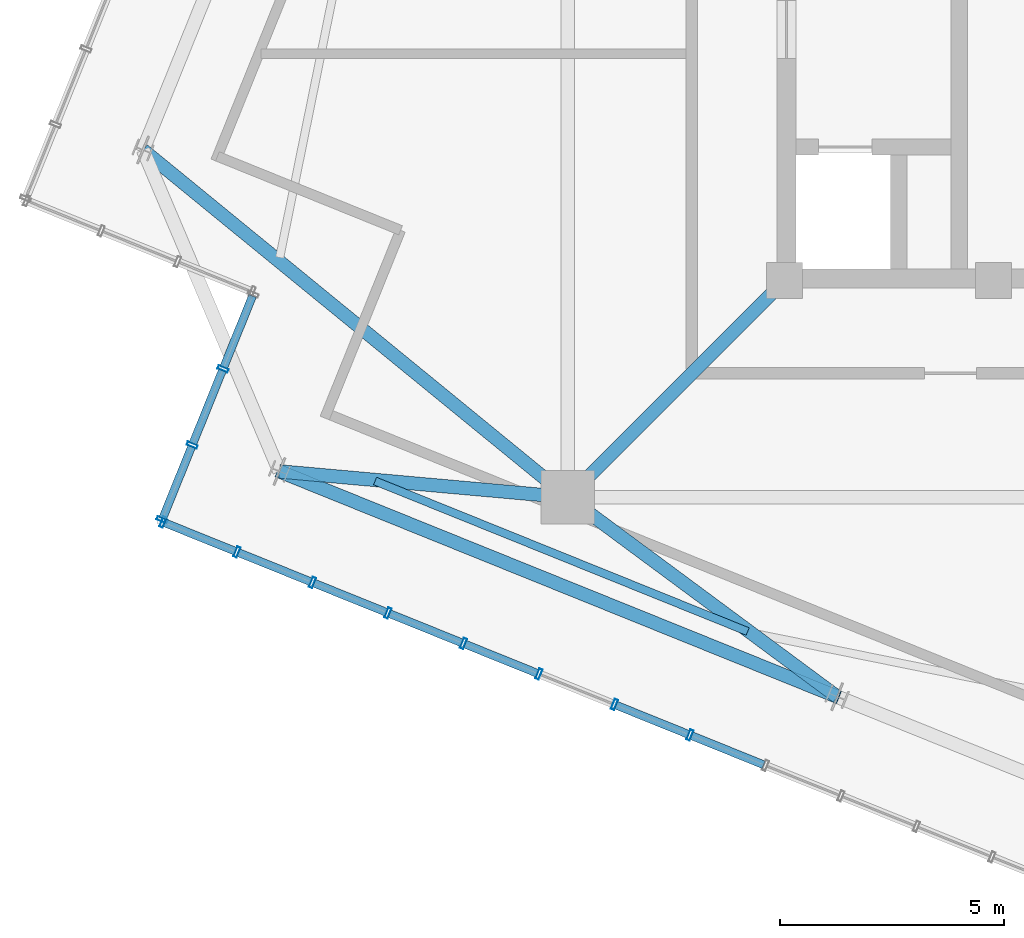
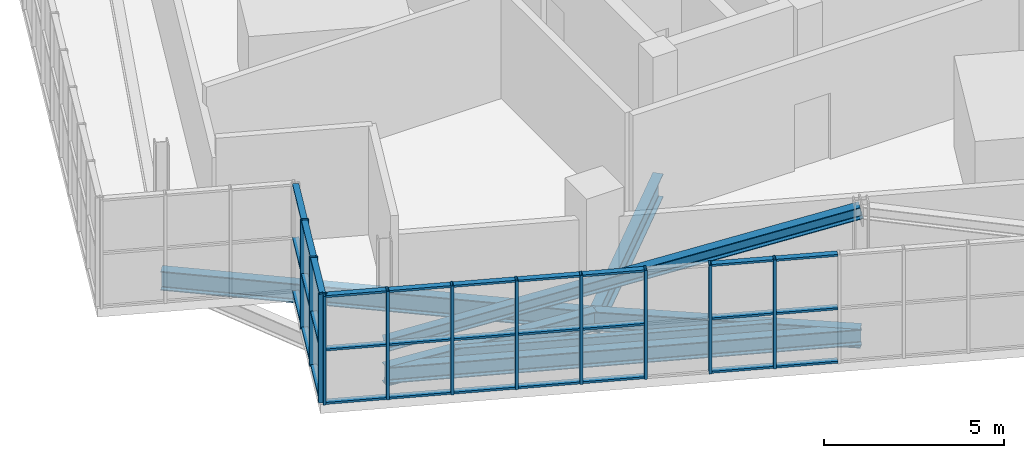
# One storey, part 3 of 26: 42 members, 6 beams, 2 elements without a shape of their own.
"""IFC4 building model written with IfcOpenShell, lengths in metres."""

import ifcopenshell
import ifcopenshell.guid

model = None  # the IFC model being written
_history = None  # IfcOwnerHistory: only IFC2X3 demands one
_inside = {}  # id of a spatial element -> (the spatial element, [elements in it])
_under = {}  # id of a project, library or spatial element -> (it, [spatial elements below it])
_declared = {}  # id of a project -> (the project, [libraries it declares])
_typed = {}  # id of a type object -> (the type object, [elements of that type])
_made_of = {}  # id of a material, layer set ... -> (it, [elements and type objects made of it])


def new_model(schema):
    """Start an empty IFC model of exactly this schema.

    Asked for "IFC4X3", IfcOpenShell would pick the latest addendum, in which some entities
    have other attributes; the version numbers below select the first issue.
    IFC2X3 requires an IfcOwnerHistory on every rooted entity: one is made here for all.
    """
    global model, _history
    if schema == "IFC4X3":
        model = ifcopenshell.file(schema_version=(4, 3, 0, 0))
    else:
        model = ifcopenshell.file(schema=schema)
    _inside.clear()
    _under.clear()
    _declared.clear()
    _typed.clear()
    _made_of.clear()
    _history = None
    if model.schema == "IFC2X3":
        org = make("IfcOrganization", Name="unknown")
        user = make(
            "IfcPersonAndOrganization",
            ThePerson=make("IfcPerson", FamilyName="unknown"),
            TheOrganization=org,
        )
        app = make(
            "IfcApplication",
            ApplicationDeveloper=org,
            Version="unknown",
            ApplicationFullName="unknown",
            ApplicationIdentifier="unknown",
        )
        _history = make(
            "IfcOwnerHistory",
            OwningUser=user,
            OwningApplication=app,
            ChangeAction="ADDED",
            CreationDate=0,
        )
    return model


def make(cls, **values):
    """One entity of the class cls with the attributes given. An attribute that is None is left unset."""
    return model.create_entity(
        cls, **{name: value for name, value in values.items() if value is not None}
    )


def rooted(cls, **values):
    """An entity with a GlobalId (a new one), such as an element, a storey or a relation."""
    return make(cls, GlobalId=ifcopenshell.guid.new(), OwnerHistory=_history, **values)


def si_unit(unit_type, name, prefix=None):
    """IfcSIUnit, for example si_unit("LENGTHUNIT", "METRE", prefix="MILLI")."""
    return make("IfcSIUnit", UnitType=unit_type, Prefix=prefix, Name=name)


def assignment(units):
    """IfcUnitAssignment: the units of a project."""
    return None if units is None else make("IfcUnitAssignment", Units=units)


def point(xyz):
    """IfcCartesianPoint."""
    return None if xyz is None else make("IfcCartesianPoint", Coordinates=xyz)


def direction(xyz):
    """IfcDirection."""
    return None if xyz is None else make("IfcDirection", DirectionRatios=xyz)


def frame(location, z_axis=None, x_axis=None):
    """IfcAxis2Placement3D, a coordinate frame: its origin and axes. An axis left out is left unset."""
    return make(
        "IfcAxis2Placement3D",
        Location=point(location),
        Axis=direction(z_axis),
        RefDirection=direction(x_axis),
    )


def frame_2d(location, x_axis=None):
    """IfcAxis2Placement2D, a coordinate frame in the plane: its origin and x axis."""
    return make(
        "IfcAxis2Placement2D", Location=point(location), RefDirection=direction(x_axis)
    )


def origin():
    """The frame at (0, 0, 0) with its axes left unset."""
    return frame((0.0, 0.0, 0.0))


def origin_2d():
    """The frame at (0, 0) in the plane with its x axis left unset."""
    return frame_2d((0.0, 0.0))


def place(relative_to, where):
    """IfcLocalPlacement: puts the frame where relative to a parent placement (None: the world)."""
    return make(
        "IfcLocalPlacement", PlacementRelTo=relative_to, RelativePlacement=where
    )


def context(
    kind, dimensions, precision=None, world=None, true_north=None, identifier=None
):
    """IfcGeometricRepresentationContext, for example the 3D "Model" context."""
    return make(
        "IfcGeometricRepresentationContext",
        ContextIdentifier=identifier,
        ContextType=kind,
        CoordinateSpaceDimension=dimensions,
        Precision=precision,
        WorldCoordinateSystem=world,
        TrueNorth=true_north,
    )


def subcontext(parent, identifier, kind, view, scale=None):
    """IfcGeometricRepresentationSubContext, for example "Body" below "Model"."""
    return make(
        "IfcGeometricRepresentationSubContext",
        ContextIdentifier=identifier,
        ContextType=kind,
        ParentContext=parent,
        TargetScale=scale,
        TargetView=view,
    )


def project(units=None, contexts=None):
    """IfcProject with its units and contexts."""
    return rooted(
        "IfcProject",
        Name="project",
        RepresentationContexts=contexts,
        UnitsInContext=assignment(units),
    )


def spatial(cls, under=None, at=None, **own):
    """A site, building, storey or space (cls), placed at a placement, below another one or the project."""
    s = rooted(cls, ObjectPlacement=at, **own)
    if under is not None:
        _under.setdefault(under.id(), (under, []))[1].append(s)
    return s


def profile(cls, at=None, kind="AREA", **sizes):
    """A parametric profile (cls). Its sizes go by their IFC names, for example OverallWidth=200.0."""
    return make(cls, ProfileType=kind, Position=at, **sizes)


def hollow_rectangle(**sizes):
    """IfcRectangleHollowProfileDef."""
    return profile("IfcRectangleHollowProfileDef", **sizes)


def i_section(**sizes):
    """IfcIShapeProfileDef."""
    return profile("IfcIShapeProfileDef", **sizes)


def extrude(swept, where, along, depth):
    """IfcExtrudedAreaSolid: the profile swept, set in the frame where, extruded along a direction by depth."""
    return make(
        "IfcExtrudedAreaSolid",
        SweptArea=swept,
        Position=where,
        ExtrudedDirection=direction(along),
        Depth=depth,
    )


def shape(context_of_items, identifier, shape_type, items):
    """IfcShapeRepresentation: the items that make up one representation, for example the "Body"."""
    return make(
        "IfcShapeRepresentation",
        ContextOfItems=context_of_items,
        RepresentationIdentifier=identifier,
        RepresentationType=shape_type,
        Items=items,
    )


def source(mapping_origin, context_of_items, identifier, shape_type, items):
    """IfcRepresentationMap: a shape defined once, which mapped items show again and again."""
    return make(
        "IfcRepresentationMap",
        MappingOrigin=mapping_origin,
        MappedRepresentation=shape(context_of_items, identifier, shape_type, items),
    )


def transform(
    local_origin,
    x_axis=None,
    y_axis=None,
    z_axis=None,
    scale=None,
    scale2=None,
    scale3=None,
    uniform=True,
):
    """IfcCartesianTransformationOperator3D, or its non-uniform kind. x_axis, y_axis, z_axis: its Axis1, 2, 3."""
    if uniform:
        return make(
            "IfcCartesianTransformationOperator3D",
            Axis1=direction(x_axis),
            Axis2=direction(y_axis),
            LocalOrigin=point(local_origin),
            Scale=scale,
            Axis3=direction(z_axis),
        )
    return make(
        "IfcCartesianTransformationOperator3DnonUniform",
        Axis1=direction(x_axis),
        Axis2=direction(y_axis),
        LocalOrigin=point(local_origin),
        Scale=scale,
        Axis3=direction(z_axis),
        Scale2=scale2,
        Scale3=scale3,
    )


def mapped(mapping_source, mapping_target):
    """IfcMappedItem: shows the shape of a source again, moved by a transform."""
    return make(
        "IfcMappedItem", MappingSource=mapping_source, MappingTarget=mapping_target
    )


def material(Name=None, Category=None):
    """IfcMaterial."""
    return make("IfcMaterial", Name=Name, Category=Category)


def layer(
    of_material, thickness, ventilated=None, Name=None, Category=None, Priority=None
):
    """IfcMaterialLayer: one layer of a wall or slab, of a material (None: an air gap)."""
    return make(
        "IfcMaterialLayer",
        Material=of_material,
        LayerThickness=thickness,
        IsVentilated=ventilated,
        Name=Name,
        Category=Category,
        Priority=Priority,
    )


def layer_set(layers, Name=None):
    """IfcMaterialLayerSet."""
    return make("IfcMaterialLayerSet", MaterialLayers=layers, LayerSetName=Name)


def material_profile(
    of_material, cross_section, Name=None, Category=None, Priority=None
):
    """IfcMaterialProfile: a cross section and its material."""
    return make(
        "IfcMaterialProfile",
        Name=Name,
        Material=of_material,
        Profile=cross_section,
        Priority=Priority,
        Category=Category,
    )


def profile_set(profiles, Name=None, composite=None):
    """IfcMaterialProfileSet."""
    return make(
        "IfcMaterialProfileSet",
        Name=Name,
        MaterialProfiles=profiles,
        CompositeProfile=composite,
    )


def made_of(thing, what):
    """Note that an element or type object is made of a material, layer set ...; save() writes the relation."""
    if what is not None:
        _made_of.setdefault(what.id(), (what, []))[1].append(thing)
    return thing


def type_object(cls, material=None, **own):
    """A type object (cls), such as IfcWallType, which elements share."""
    return made_of(rooted(cls, **own), material)


def element(
    cls,
    number,
    at=None,
    inside=None,
    cuts=None,
    type_object=None,
    material=None,
    context=None,
    identifier="Body",
    shape_type=None,
    held_by="IfcProductDefinitionShape",
    body=None,
    shapes=None,
    **own,
):
    """One element of the class cls, such as IfcWall. Its Tag is "e" and its number.

    at: its placement. inside: the storey or other place that contains it. cuts: it is an
    opening in that element (IfcRelVoidsElement). A single representation is given by context,
    identifier, shape_type and body (its items); several are given by shapes. held_by: the class
    of the entity that holds the representations. save() writes the other relations.
    """
    e = rooted(cls, Tag="e%d" % number, ObjectPlacement=at, **own)
    if body is not None:
        shapes = [shape(context, identifier, shape_type, body)]
    if shapes is not None:
        e.Representation = make(held_by, Representations=shapes)
    if inside is not None:
        _inside.setdefault(inside.id(), (inside, []))[1].append(e)
    if cuts is not None:
        rooted(
            "IfcRelVoidsElement", RelatingBuildingElement=cuts, RelatedOpeningElement=e
        )
    if type_object is not None:
        _typed.setdefault(type_object.id(), (type_object, []))[1].append(e)
    return made_of(e, material)


def aggregate(whole, parts):
    """IfcRelAggregates: a whole, such as a stair, and the parts it consists of."""
    return rooted("IfcRelAggregates", RelatingObject=whole, RelatedObjects=parts)


def save(model, path):
    """Write the relations noted so far, then the file.

    IfcRelAggregates (storeys below a building ...), IfcRelContainedInSpatialStructure (elements
    in a storey), IfcRelDefinesByType, IfcRelAssociatesMaterial and IfcRelDeclares: one each for
    every whole, place, type object, material and project.
    """
    for whole, parts in _under.values():
        aggregate(whole, parts)
    for where, things in _inside.values():
        rooted(
            "IfcRelContainedInSpatialStructure",
            RelatedElements=things,
            RelatingStructure=where,
        )
    for kind, things in _typed.values():
        rooted("IfcRelDefinesByType", RelatedObjects=things, RelatingType=kind)
    for what, things in _made_of.values():
        rooted("IfcRelAssociatesMaterial", RelatedObjects=things, RelatingMaterial=what)
    for by, libraries in _declared.values():
        rooted("IfcRelDeclares", RelatingContext=by, RelatedDefinitions=libraries)
    model.write(path)


model = new_model("IFC4")

# Units and contexts
model_context = context("Model", 3, precision=1e-05, world=origin(), true_north=direction((0.0, 1.0)))
body_context = subcontext(model_context, "Body", "Model", "MODEL_VIEW")
ifc_project = project(units=[si_unit("LENGTHUNIT", "METRE"), si_unit("AREAUNIT", "SQUARE_METRE"), si_unit("VOLUMEUNIT", "CUBIC_METRE"), si_unit("PLANEANGLEUNIT", "RADIAN"), si_unit("MASSUNIT", "GRAM", prefix="KILO"), si_unit("THERMODYNAMICTEMPERATUREUNIT", "KELVIN")], contexts=[model_context])

# Site, building, storey
site_placement = place(None, origin())
site = spatial("IfcSite", under=ifc_project, at=site_placement, CompositionType="ELEMENT")
building_placement = place(site_placement, origin())
building = spatial("IfcBuilding", under=site, at=building_placement, Name="Kosmvard Interchange Tower", CompositionType="ELEMENT")
storey_placement = place(building_placement, frame((0.0, 0.0, 329.60009765625)))
storey = spatial("IfcBuildingStorey", under=building, at=storey_placement, Name="L81", CompositionType="ELEMENT", Elevation=329.60009765625)

# Beam
ifc_material_1 = material(Name="Steel S355", Category="steel")
ifc_material_profile_1 = material_profile(ifc_material_1, i_section(OverallWidth=0.300048828125, OverallDepth=0.800048828125, WebThickness=0.017578125, FlangeThickness=0.032958984375, FilletRadius=0.027099609375, at=origin_2d()), Name="HEB 800")
ifc_profile_set_1 = profile_set([ifc_material_profile_1], Name="Steel S355")
beam_type_1 = type_object("IfcBeamType", Name="Primary Mega-Frame Girder HEB 800 S355", PredefinedType="BEAM", material=ifc_profile_set_1)
shared_shape_1 = source(origin(), body_context, "Body", "SweptSolid", [
    extrude(i_section(OverallWidth=0.300048828125, OverallDepth=0.800048828125, WebThickness=0.017578125, FlangeThickness=0.032958984375, FilletRadius=0.027099609375, at=origin_2d()), origin(), (0.0, 0.0, 1.0), 6.83203125),
])
beam_1_placement = place(storey_placement, frame((-8.25, -8.25, -0.7001953125), z_axis=(-0.707106781187, -0.707106781187, 0.0), x_axis=(0.707106781187, -0.707106781187, 0.0)))
element("IfcBeam", 1, at=beam_1_placement, inside=storey, type_object=beam_type_1, Name="L81 Radial Mega-Frame Girder 1", PredefinedType="BEAM", context=body_context, shape_type="MappedRepresentation", body=[
    mapped(shared_shape_1, transform((0.0, 0.0, 0.0), scale=1.0)),
])

# Member
ifc_material_profile_2 = material_profile(ifc_material_1, i_section(OverallWidth=0.300048828125, OverallDepth=0.39990234375, WebThickness=0.013427734375, FlangeThickness=0.02392578125, FilletRadius=0.027099609375, at=origin_2d()), Name="HEB 400")
ifc_profile_set_2 = profile_set([ifc_material_profile_2], Name="Steel S355")
member_type_1 = type_object("IfcMemberType", Name="Lantern Crown Diagrid Brace HEB 400 S355", PredefinedType="BRACE", material=ifc_profile_set_2)
shared_shape_2 = source(origin(), body_context, "Body", "SweptSolid", [
    extrude(i_section(OverallWidth=0.300048828125, OverallDepth=0.39990234375, WebThickness=0.013427734375, FlangeThickness=0.02392578125, FilletRadius=0.027099609375, at=origin_2d()), origin(), (0.0, 0.0, 1.0), 13.78369140625),
])
member_1_placement = place(storey_placement, frame((-19.50439453125, -12.504150390625, 0.419921875), z_axis=(0.901373372792, -0.364162635972, 0.234332279859), x_axis=(0.374592580972, 0.927189515839, 0.0)))
element("IfcMember", 2, at=member_1_placement, inside=storey, type_object=member_type_1, Name="L81 Crown Lantern Diagrid Brace W1", PredefinedType="BRACE", context=body_context, shape_type="MappedRepresentation", body=[
    mapped(shared_shape_2, transform((0.0, 0.0, 0.0), scale=1.0)),
])

# Beams
ifc_material_profile_3 = material_profile(ifc_material_1, i_section(OverallWidth=0.300048828125, OverallDepth=0.550048828125, WebThickness=0.014892578125, FlangeThickness=0.029052734375, FilletRadius=0.027099609375, at=origin_2d()), Name="HEB 550")
ifc_profile_set_3 = profile_set([ifc_material_profile_3], Name="Steel S355")
beam_type_2 = type_object("IfcBeamType", Name="Crown Ring Cap Girder HEB 550 S355", PredefinedType="BEAM", material=ifc_profile_set_3)
shared_shape_3 = source(origin(), body_context, "Body", "SweptSolid", [
    extrude(i_section(OverallWidth=0.300048828125, OverallDepth=0.550048828125, WebThickness=0.014892578125, FlangeThickness=0.029052734375, FilletRadius=0.027099609375, at=origin_2d()), origin(), (0.0, 0.0, 1.0), 13.39990234375),
])
beam_2_placement = place(storey_placement, frame((-19.50439453125, -12.504150390625, -0.5751953125), z_axis=(0.927189515839, -0.374592580972, 0.0), x_axis=(0.374592580972, 0.927189515839, 0.0)))
element("IfcBeam", 3, at=beam_2_placement, inside=storey, type_object=beam_type_2, Name="BM-L81-PR10", PredefinedType="BEAM", context=body_context, shape_type="MappedRepresentation", body=[
    mapped(shared_shape_3, transform((0.0, 0.0, 0.0), scale=1.0)),
])
ifc_material_profile_4 = material_profile(ifc_material_1, i_section(OverallWidth=0.300048828125, OverallDepth=0.64990234375, WebThickness=0.01611328125, FlangeThickness=0.031005859375, FilletRadius=0.027099609375, at=origin_2d()), Name="HEB 650")
ifc_profile_set_4 = profile_set([ifc_material_profile_4], Name="Steel S355")
beam_type_3 = type_object("IfcBeamType", Name="Primary Floor Girder HEB 650 S355", PredefinedType="BEAM", material=ifc_profile_set_4)
shared_shape_4 = source(origin(), body_context, "Body", "SweptSolid", [
    extrude(i_section(OverallWidth=0.300048828125, OverallDepth=0.64990234375, WebThickness=0.01611328125, FlangeThickness=0.031005859375, FilletRadius=0.027099609375, at=origin_2d()), origin(), (0.0, 0.0, 1.0), 6.44921875),
])
beam_3_placement = place(storey_placement, frame((-13.0810546875, -13.0810546875, -0.625), z_axis=(-0.995990982197, 0.089453694068, 0.0), x_axis=(-0.089453694068, -0.995990982197, 0.0)))
element("IfcBeam", 4, at=beam_3_placement, inside=storey, type_object=beam_type_3, Name="BM-L81-RD10", PredefinedType="BEAM", context=body_context, shape_type="MappedRepresentation", body=[
    mapped(shared_shape_4, transform((0.0, 0.0, 0.0), scale=1.0)),
])
shared_shape_5 = source(origin(), body_context, "Body", "SweptSolid", [
    extrude(i_section(OverallWidth=0.300048828125, OverallDepth=0.64990234375, WebThickness=0.01611328125, FlangeThickness=0.031005859375, FilletRadius=0.027099609375, at=origin_2d()), origin(), (0.0, 0.0, 1.0), 7.466552734375),
])
beam_4_placement = place(storey_placement, frame((-13.0810546875, -13.0810546875, -0.625), z_axis=(0.803719929879, -0.595007793491, 0.0), x_axis=(0.595007793491, 0.803719929879, 0.0)))
element("IfcBeam", 5, at=beam_4_placement, inside=storey, type_object=beam_type_3, Name="BM-L81-RD11", PredefinedType="BEAM", context=body_context, shape_type="MappedRepresentation", body=[
    mapped(shared_shape_5, transform((0.0, 0.0, 0.0), scale=1.0)),
])
shared_shape_6 = source(origin(), body_context, "Body", "SweptSolid", [
    extrude(i_section(OverallWidth=0.300048828125, OverallDepth=0.64990234375, WebThickness=0.01611328125, FlangeThickness=0.031005859375, FilletRadius=0.027099609375, at=origin_2d()), origin(), (0.0, 0.0, 1.0), 12.22265625),
])
beam_5_placement = place(storey_placement, frame((-13.0810546875, -13.0810546875, -0.625), z_axis=(-0.774163725034, 0.632985408079, 0.0), x_axis=(-0.632985408079, -0.774163725034, 0.0)))
element("IfcBeam", 6, at=beam_5_placement, inside=storey, type_object=beam_type_3, Name="BM-L81-RD09", PredefinedType="BEAM", context=body_context, shape_type="MappedRepresentation", body=[
    mapped(shared_shape_6, transform((0.0, 0.0, 0.0), scale=1.0)),
])
ifc_material_profile_5 = material_profile(ifc_material_1, i_section(OverallWidth=0.179931640625, OverallDepth=0.39990234375, WebThickness=0.008544921875, FlangeThickness=0.013427734375, FilletRadius=0.02099609375, at=origin_2d()), Name="IPE 400")
ifc_profile_set_5 = profile_set([ifc_material_profile_5], Name="Steel S355")
beam_type_4 = type_object("IfcBeamType", Name="Upper-Zone Floor Joist IPE 400 S355", PredefinedType="JOIST", material=ifc_profile_set_5)
shared_shape_7 = source(origin(), body_context, "Body", "SweptSolid", [
    extrude(i_section(OverallWidth=0.179931640625, OverallDepth=0.39990234375, WebThickness=0.008544921875, FlangeThickness=0.013427734375, FilletRadius=0.02099609375, at=origin_2d()), origin(), (0.0, 0.0, 1.0), 8.9521484375),
])
beam_6_placement = place(storey_placement, frame((-17.374755859375, -12.71875, -0.5), z_axis=(0.927194118723, -0.374581187736, 0.0), x_axis=(0.374581187736, 0.927194118723, 0.0)))
element("IfcBeam", 7, at=beam_6_placement, inside=storey, type_object=beam_type_4, Name="BM-L81-FJ07", PredefinedType="JOIST", context=body_context, shape_type="MappedRepresentation", body=[
    mapped(shared_shape_7, transform((0.0, 0.0, 0.0), scale=1.0)),
])

# Curtain wall, members
ifc_material_2 = material(Name="Architectural anodised aluminium", Category="aluminium")
ifc_layer = layer(ifc_material_2, 0.25, Name="Architectural anodised aluminium")
ifc_layer_set = layer_set([ifc_layer], Name="Architectural anodised aluminium")
curtain_wall_type = type_object("IfcCurtainWallType", Name="CW-6 Illuminated Crown Lantern Curtain Wall", PredefinedType="NOTDEFINED", material=ifc_layer_set)
curtain_wall_1_placement = place(storey_placement, origin())
curtain_wall_1 = element("IfcCurtainWall", 8, at=curtain_wall_1_placement, inside=storey, type_object=curtain_wall_type, Name="L81 Crown Lantern Glazing Face 09", PredefinedType="NOTDEFINED")
ifc_material_profile_6 = material_profile(ifc_material_2, hollow_rectangle(XDim=0.239990234375, YDim=0.080078125, WallThickness=0.006103515625, at=origin_2d()), Name="CWM 240x80x6")
ifc_profile_set_6 = profile_set([ifc_material_profile_6], Name="Architectural anodised aluminium")
member_type_2 = type_object("IfcMemberType", Name="Lantern & Observation CW Mullion 240x80 Aluminium", PredefinedType="MULLION", material=ifc_profile_set_6)
shared_shape_8 = source(origin(), body_context, "Body", "SweptSolid", [
    extrude(hollow_rectangle(XDim=0.239990234375, YDim=0.080078125, WallThickness=0.006103515625, at=origin_2d()), origin(), (0.0, 0.0, 1.0), 3.699951171875),
])
member_2_placement = place(storey_placement, frame((-20.760498046875, -10.220458984375, 0.0), z_axis=(0.0, 0.0, 1.0), x_axis=(0.927183891631, -0.374606501678, 0.0)))
member_2 = element("IfcMember", 9, at=member_2_placement, type_object=member_type_2, Name="CW-6 mullion 2", PredefinedType="MULLION", context=body_context, shape_type="MappedRepresentation", body=[
    mapped(shared_shape_8, transform((0.0, 0.0, 0.0), scale=1.0)),
])
member_3_placement = place(storey_placement, frame((-21.447265625, -11.92041015625, 0.0), z_axis=(0.0, 0.0, 1.0), x_axis=(0.927183891631, -0.374606501678, 0.0)))
member_3 = element("IfcMember", 10, at=member_3_placement, type_object=member_type_2, Name="CW-6 mullion 3", PredefinedType="MULLION", context=body_context, shape_type="MappedRepresentation", body=[
    mapped(shared_shape_8, transform((0.0, 0.0, 0.0), scale=1.0)),
])
member_4_placement = place(storey_placement, frame((-22.118896484375, -13.583251953125, 0.0), z_axis=(0.0, 0.0, 1.0), x_axis=(0.927183891631, -0.374606501678, 0.0)))
member_4 = element("IfcMember", 11, at=member_4_placement, type_object=member_type_2, Name="CW-6 mullion 4", PredefinedType="MULLION", context=body_context, shape_type="MappedRepresentation", body=[
    mapped(shared_shape_8, transform((0.0, 0.0, 0.0), scale=1.0)),
])

curtain_wall_2_placement = place(storey_placement, origin())
curtain_wall_2 = element("IfcCurtainWall", 12, at=curtain_wall_2_placement, inside=storey, type_object=curtain_wall_type, Name="L81 Crown Lantern Glazing Face 10", PredefinedType="NOTDEFINED")
member_5_placement = place(storey_placement, frame((-22.096923828125, -13.63525390625, 0.0), z_axis=(0.0, 0.0, 1.0), x_axis=(0.374606584758, 0.927183858065, 0.0)))
member_5 = element("IfcMember", 13, at=member_5_placement, type_object=member_type_2, Name="CW-6 mullion 1", PredefinedType="MULLION", context=body_context, shape_type="MappedRepresentation", body=[
    mapped(shared_shape_8, transform((0.0, 0.0, 0.0), scale=1.0)),
])
member_6_placement = place(storey_placement, frame((-20.451904296875, -14.2998046875, 0.0), z_axis=(0.0, 0.0, 1.0), x_axis=(0.374606584758, 0.927183858065, 0.0)))
member_6 = element("IfcMember", 14, at=member_6_placement, type_object=member_type_2, Name="CW-6 mullion 2", PredefinedType="MULLION", context=body_context, shape_type="MappedRepresentation", body=[
    mapped(shared_shape_8, transform((0.0, 0.0, 0.0), scale=1.0)),
])
member_7_placement = place(storey_placement, frame((-18.77001953125, -14.9794921875, 0.0), z_axis=(0.0, 0.0, 1.0), x_axis=(0.374606584758, 0.927183858065, 0.0)))
member_7 = element("IfcMember", 15, at=member_7_placement, type_object=member_type_2, Name="CW-6 mullion 3", PredefinedType="MULLION", context=body_context, shape_type="MappedRepresentation", body=[
    mapped(shared_shape_8, transform((0.0, 0.0, 0.0), scale=1.0)),
])
member_8_placement = place(storey_placement, frame((-17.087890625, -15.658935546875, 0.0), z_axis=(0.0, 0.0, 1.0), x_axis=(0.374606584758, 0.927183858065, 0.0)))
member_8 = element("IfcMember", 16, at=member_8_placement, type_object=member_type_2, Name="CW-6 mullion 4", PredefinedType="MULLION", context=body_context, shape_type="MappedRepresentation", body=[
    mapped(shared_shape_8, transform((0.0, 0.0, 0.0), scale=1.0)),
])
member_9_placement = place(storey_placement, frame((-15.40576171875, -16.338623046875, 0.0), z_axis=(0.0, 0.0, 1.0), x_axis=(0.374606584758, 0.927183858065, 0.0)))
member_9 = element("IfcMember", 17, at=member_9_placement, type_object=member_type_2, Name="CW-6 mullion 5", PredefinedType="MULLION", context=body_context, shape_type="MappedRepresentation", body=[
    mapped(shared_shape_8, transform((0.0, 0.0, 0.0), scale=1.0)),
])
member_10_placement = place(storey_placement, frame((-13.723876953125, -17.01806640625, 0.0), z_axis=(0.0, 0.0, 1.0), x_axis=(0.374606584758, 0.927183858065, 0.0)))
member_10 = element("IfcMember", 18, at=member_10_placement, type_object=member_type_2, Name="CW-6 mullion 6", PredefinedType="MULLION", context=body_context, shape_type="MappedRepresentation", body=[
    mapped(shared_shape_8, transform((0.0, 0.0, 0.0), scale=1.0)),
])
member_11_placement = place(storey_placement, frame((-12.041748046875, -17.69775390625, 0.0), z_axis=(0.0, 0.0, 1.0), x_axis=(0.374606584758, 0.927183858065, 0.0)))
member_11 = element("IfcMember", 19, at=member_11_placement, type_object=member_type_2, Name="CW-6 mullion 7", PredefinedType="MULLION", context=body_context, shape_type="MappedRepresentation", body=[
    mapped(shared_shape_8, transform((0.0, 0.0, 0.0), scale=1.0)),
])
member_12_placement = place(storey_placement, frame((-10.35986328125, -18.377197265625, 0.0), z_axis=(0.0, 0.0, 1.0), x_axis=(0.374606584758, 0.927183858065, 0.0)))
member_12 = element("IfcMember", 20, at=member_12_placement, type_object=member_type_2, Name="CW-6 mullion 8", PredefinedType="MULLION", context=body_context, shape_type="MappedRepresentation", body=[
    mapped(shared_shape_8, transform((0.0, 0.0, 0.0), scale=1.0)),
])
ifc_material_profile_7 = material_profile(ifc_material_2, hollow_rectangle(XDim=0.179931640625, YDim=0.070068359375, WallThickness=0.0048828125, at=origin_2d()), Name="CWT 180x70x5")
ifc_profile_set_7 = profile_set([ifc_material_profile_7], Name="Architectural anodised aluminium")
member_type_3 = type_object("IfcMemberType", Name="Heavy Lantern CW Transom 180x70 Aluminium", PredefinedType="USERDEFINED", material=ifc_profile_set_7)
shared_shape_9 = source(origin(), body_context, "Body", "SweptSolid", [
    extrude(hollow_rectangle(XDim=0.179931640625, YDim=0.070068359375, WallThickness=0.0048828125, at=origin_2d()), origin(), (0.0, 0.0, 1.0), 1.694091796875),
])
member_13_placement = place(storey_placement, frame((-22.059814453125, -13.650146484375, 0.034912109375), z_axis=(0.927159064032, -0.374667946298, 0.0), x_axis=(0.374667946298, 0.927159064032, 0.0)))
member_13 = element("IfcMember", 21, at=member_13_placement, type_object=member_type_3, Name="CW-6 transom 1.1", ObjectType="TRANSOM", PredefinedType="USERDEFINED", context=body_context, shape_type="MappedRepresentation", body=[
    mapped(shared_shape_9, transform((0.0, 0.0, 0.0), scale=1.0)),
])
member_14_placement = place(storey_placement, frame((-22.059814453125, -13.650146484375, 1.849853515625), z_axis=(0.927159064032, -0.374667946298, 0.0), x_axis=(0.374667946298, 0.927159064032, 0.0)))
member_14 = element("IfcMember", 22, at=member_14_placement, type_object=member_type_3, Name="CW-6 transom 1.2", ObjectType="TRANSOM", PredefinedType="USERDEFINED", context=body_context, shape_type="MappedRepresentation", body=[
    mapped(shared_shape_9, transform((0.0, 0.0, 0.0), scale=1.0)),
])
member_15_placement = place(storey_placement, frame((-22.059814453125, -13.650146484375, 3.664794921875), z_axis=(0.927159064032, -0.374667946298, 0.0), x_axis=(0.374667946298, 0.927159064032, 0.0)))
member_15 = element("IfcMember", 23, at=member_15_placement, type_object=member_type_3, Name="CW-6 transom 1.3", ObjectType="TRANSOM", PredefinedType="USERDEFINED", context=body_context, shape_type="MappedRepresentation", body=[
    mapped(shared_shape_9, transform((0.0, 0.0, 0.0), scale=1.0)),
])
shared_shape_10 = source(origin(), body_context, "Body", "SweptSolid", [
    extrude(hollow_rectangle(XDim=0.179931640625, YDim=0.070068359375, WallThickness=0.0048828125, at=origin_2d()), origin(), (0.0, 0.0, 1.0), 1.734130859375),
])
member_16_placement = place(storey_placement, frame((-20.414794921875, -14.314697265625, 0.034912109375), z_axis=(0.927179782522, -0.374616671924, 0.0), x_axis=(0.374616671924, 0.927179782522, 0.0)))
member_16 = element("IfcMember", 24, at=member_16_placement, type_object=member_type_3, Name="CW-6 transom 2.1", ObjectType="TRANSOM", PredefinedType="USERDEFINED", context=body_context, shape_type="MappedRepresentation", body=[
    mapped(shared_shape_10, transform((0.0, 0.0, 0.0), scale=1.0)),
])
member_17_placement = place(storey_placement, frame((-20.414794921875, -14.314697265625, 1.849853515625), z_axis=(0.927179782522, -0.374616671924, 0.0), x_axis=(0.374616671924, 0.927179782522, 0.0)))
member_17 = element("IfcMember", 25, at=member_17_placement, type_object=member_type_3, Name="CW-6 transom 2.2", ObjectType="TRANSOM", PredefinedType="USERDEFINED", context=body_context, shape_type="MappedRepresentation", body=[
    mapped(shared_shape_10, transform((0.0, 0.0, 0.0), scale=1.0)),
])
member_18_placement = place(storey_placement, frame((-20.414794921875, -14.314697265625, 3.664794921875), z_axis=(0.927179782522, -0.374616671924, 0.0), x_axis=(0.374616671924, 0.927179782522, 0.0)))
member_18 = element("IfcMember", 26, at=member_18_placement, type_object=member_type_3, Name="CW-6 transom 2.3", ObjectType="TRANSOM", PredefinedType="USERDEFINED", context=body_context, shape_type="MappedRepresentation", body=[
    mapped(shared_shape_10, transform((0.0, 0.0, 0.0), scale=1.0)),
])
member_19_placement = place(storey_placement, frame((-18.73291015625, -14.994384765625, 0.034912109375), z_axis=(0.927179782522, -0.374616671924, 0.0), x_axis=(0.374616671924, 0.927179782522, 0.0)))
member_19 = element("IfcMember", 27, at=member_19_placement, type_object=member_type_3, Name="CW-6 transom 3.1", ObjectType="TRANSOM", PredefinedType="USERDEFINED", context=body_context, shape_type="MappedRepresentation", body=[
    mapped(shared_shape_10, transform((0.0, 0.0, 0.0), scale=1.0)),
])
member_20_placement = place(storey_placement, frame((-18.73291015625, -14.994384765625, 1.849853515625), z_axis=(0.927179782522, -0.374616671924, 0.0), x_axis=(0.374616671924, 0.927179782522, 0.0)))
member_20 = element("IfcMember", 28, at=member_20_placement, type_object=member_type_3, Name="CW-6 transom 3.2", ObjectType="TRANSOM", PredefinedType="USERDEFINED", context=body_context, shape_type="MappedRepresentation", body=[
    mapped(shared_shape_10, transform((0.0, 0.0, 0.0), scale=1.0)),
])
member_21_placement = place(storey_placement, frame((-18.73291015625, -14.994384765625, 3.664794921875), z_axis=(0.927179782522, -0.374616671924, 0.0), x_axis=(0.374616671924, 0.927179782522, 0.0)))
member_21 = element("IfcMember", 29, at=member_21_placement, type_object=member_type_3, Name="CW-6 transom 3.3", ObjectType="TRANSOM", PredefinedType="USERDEFINED", context=body_context, shape_type="MappedRepresentation", body=[
    mapped(shared_shape_10, transform((0.0, 0.0, 0.0), scale=1.0)),
])
member_22_placement = place(storey_placement, frame((-17.05078125, -15.674072265625, 0.034912109375), z_axis=(0.927228675447, -0.374495638732, 0.0), x_axis=(0.374495638732, 0.927228675447, 0.0)))
member_22 = element("IfcMember", 30, at=member_22_placement, type_object=member_type_3, Name="CW-6 transom 4.1", ObjectType="TRANSOM", PredefinedType="USERDEFINED", context=body_context, shape_type="MappedRepresentation", body=[
    mapped(shared_shape_10, transform((0.0, 0.0, 0.0), scale=1.0)),
])
member_23_placement = place(storey_placement, frame((-17.05078125, -15.674072265625, 1.849853515625), z_axis=(0.927228675447, -0.374495638732, 0.0), x_axis=(0.374495638732, 0.927228675447, 0.0)))
member_23 = element("IfcMember", 31, at=member_23_placement, type_object=member_type_3, Name="CW-6 transom 4.2", ObjectType="TRANSOM", PredefinedType="USERDEFINED", context=body_context, shape_type="MappedRepresentation", body=[
    mapped(shared_shape_10, transform((0.0, 0.0, 0.0), scale=1.0)),
])
member_24_placement = place(storey_placement, frame((-17.05078125, -15.674072265625, 3.664794921875), z_axis=(0.927228675447, -0.374495638732, 0.0), x_axis=(0.374495638732, 0.927228675447, 0.0)))
member_24 = element("IfcMember", 32, at=member_24_placement, type_object=member_type_3, Name="CW-6 transom 4.3", ObjectType="TRANSOM", PredefinedType="USERDEFINED", context=body_context, shape_type="MappedRepresentation", body=[
    mapped(shared_shape_10, transform((0.0, 0.0, 0.0), scale=1.0)),
])
member_25_placement = place(storey_placement, frame((-15.368896484375, -16.353515625, 0.034912109375), z_axis=(0.927179782522, -0.374616671924, 0.0), x_axis=(0.374616671924, 0.927179782522, 0.0)))
member_25 = element("IfcMember", 33, at=member_25_placement, type_object=member_type_3, Name="CW-6 transom 5.1", ObjectType="TRANSOM", PredefinedType="USERDEFINED", context=body_context, shape_type="MappedRepresentation", body=[
    mapped(shared_shape_10, transform((0.0, 0.0, 0.0), scale=1.0)),
])
member_26_placement = place(storey_placement, frame((-15.368896484375, -16.353515625, 1.849853515625), z_axis=(0.927179782522, -0.374616671924, 0.0), x_axis=(0.374616671924, 0.927179782522, 0.0)))
member_26 = element("IfcMember", 34, at=member_26_placement, type_object=member_type_3, Name="CW-6 transom 5.2", ObjectType="TRANSOM", PredefinedType="USERDEFINED", context=body_context, shape_type="MappedRepresentation", body=[
    mapped(shared_shape_10, transform((0.0, 0.0, 0.0), scale=1.0)),
])
member_27_placement = place(storey_placement, frame((-15.368896484375, -16.353515625, 3.664794921875), z_axis=(0.927179782522, -0.374616671924, 0.0), x_axis=(0.374616671924, 0.927179782522, 0.0)))
member_27 = element("IfcMember", 35, at=member_27_placement, type_object=member_type_3, Name="CW-6 transom 5.3", ObjectType="TRANSOM", PredefinedType="USERDEFINED", context=body_context, shape_type="MappedRepresentation", body=[
    mapped(shared_shape_10, transform((0.0, 0.0, 0.0), scale=1.0)),
])
member_28_placement = place(storey_placement, frame((-10.32275390625, -18.392333984375, 0.034912109375), z_axis=(0.927179782522, -0.374616671924, 0.0), x_axis=(0.374616671924, 0.927179782522, 0.0)))
member_28 = element("IfcMember", 36, at=member_28_placement, type_object=member_type_3, Name="CW-6 transom 8.1", ObjectType="TRANSOM", PredefinedType="USERDEFINED", context=body_context, shape_type="MappedRepresentation", body=[
    mapped(shared_shape_10, transform((0.0, 0.0, 0.0), scale=1.0)),
])
member_29_placement = place(storey_placement, frame((-10.32275390625, -18.392333984375, 1.849853515625), z_axis=(0.927179782522, -0.374616671924, 0.0), x_axis=(0.374616671924, 0.927179782522, 0.0)))
member_29 = element("IfcMember", 37, at=member_29_placement, type_object=member_type_3, Name="CW-6 transom 8.2", ObjectType="TRANSOM", PredefinedType="USERDEFINED", context=body_context, shape_type="MappedRepresentation", body=[
    mapped(shared_shape_10, transform((0.0, 0.0, 0.0), scale=1.0)),
])
member_30_placement = place(storey_placement, frame((-10.32275390625, -18.392333984375, 3.664794921875), z_axis=(0.927179782522, -0.374616671924, 0.0), x_axis=(0.374616671924, 0.927179782522, 0.0)))
member_30 = element("IfcMember", 38, at=member_30_placement, type_object=member_type_3, Name="CW-6 transom 8.3", ObjectType="TRANSOM", PredefinedType="USERDEFINED", context=body_context, shape_type="MappedRepresentation", body=[
    mapped(shared_shape_10, transform((0.0, 0.0, 0.0), scale=1.0)),
])
shared_shape_11 = source(origin(), body_context, "Body", "SweptSolid", [
    extrude(hollow_rectangle(XDim=0.179931640625, YDim=0.070068359375, WallThickness=0.0048828125, at=origin_2d()), origin(), (0.0, 0.0, 1.0), 1.73388671875),
])
member_31_placement = place(storey_placement, frame((-12.004638671875, -17.712646484375, 0.034912109375), z_axis=(0.927160021861, -0.374665576032, 0.0), x_axis=(0.374665576032, 0.927160021861, 0.0)))
member_31 = element("IfcMember", 39, at=member_31_placement, type_object=member_type_3, Name="CW-6 transom 7.1", ObjectType="TRANSOM", PredefinedType="USERDEFINED", context=body_context, shape_type="MappedRepresentation", body=[
    mapped(shared_shape_11, transform((0.0, 0.0, 0.0), scale=1.0)),
])
member_32_placement = place(storey_placement, frame((-12.004638671875, -17.712646484375, 1.849853515625), z_axis=(0.927160021861, -0.374665576032, 0.0), x_axis=(0.374665576032, 0.927160021861, 0.0)))
member_32 = element("IfcMember", 40, at=member_32_placement, type_object=member_type_3, Name="CW-6 transom 7.2", ObjectType="TRANSOM", PredefinedType="USERDEFINED", context=body_context, shape_type="MappedRepresentation", body=[
    mapped(shared_shape_11, transform((0.0, 0.0, 0.0), scale=1.0)),
])
member_33_placement = place(storey_placement, frame((-12.004638671875, -17.712646484375, 3.664794921875), z_axis=(0.927160021861, -0.374665576032, 0.0), x_axis=(0.374665576032, 0.927160021861, 0.0)))
member_33 = element("IfcMember", 41, at=member_33_placement, type_object=member_type_3, Name="CW-6 transom 7.3", ObjectType="TRANSOM", PredefinedType="USERDEFINED", context=body_context, shape_type="MappedRepresentation", body=[
    mapped(shared_shape_11, transform((0.0, 0.0, 0.0), scale=1.0)),
])
aggregate(curtain_wall_2, [member_5, member_6, member_7, member_8, member_9, member_10, member_11, member_12, member_13, member_14, member_15, member_16, member_17, member_18, member_19, member_20, member_21, member_22, member_23, member_24, member_25, member_26, member_27, member_31, member_32, member_33, member_28, member_29, member_30])

# Member
shared_shape_12 = source(origin(), body_context, "Body", "SweptSolid", [
    extrude(hollow_rectangle(XDim=0.179931640625, YDim=0.070068359375, WallThickness=0.0048828125, at=origin_2d()), origin(), (0.0, 0.0, 1.0), 1.71337890625),
])
member_34_placement = place(storey_placement, frame((-20.103515625, -8.594970703125, 0.034912109375), z_axis=(-0.374606758599, -0.927183787829, 0.0), x_axis=(0.927183787829, -0.374606758599, 0.0)))
member_34 = element("IfcMember", 42, at=member_34_placement, type_object=member_type_3, Name="CW-6 transom 1.1", ObjectType="TRANSOM", PredefinedType="USERDEFINED", context=body_context, shape_type="MappedRepresentation", body=[
    mapped(shared_shape_12, transform((0.0, 0.0, 0.0), scale=1.0)),
])

member_35_placement = place(storey_placement, frame((-20.103515625, -8.594970703125, 1.849853515625), z_axis=(-0.374606758599, -0.927183787829, 0.0), x_axis=(0.927183787829, -0.374606758599, 0.0)))
member_35 = element("IfcMember", 43, at=member_35_placement, type_object=member_type_3, Name="CW-6 transom 1.2", ObjectType="TRANSOM", PredefinedType="USERDEFINED", context=body_context, shape_type="MappedRepresentation", body=[
    mapped(shared_shape_12, transform((0.0, 0.0, 0.0), scale=1.0)),
])

member_36_placement = place(storey_placement, frame((-20.103515625, -8.594970703125, 3.664794921875), z_axis=(-0.374606758599, -0.927183787829, 0.0), x_axis=(0.927183787829, -0.374606758599, 0.0)))
member_36 = element("IfcMember", 44, at=member_36_placement, type_object=member_type_3, Name="CW-6 transom 1.3", ObjectType="TRANSOM", PredefinedType="USERDEFINED", context=body_context, shape_type="MappedRepresentation", body=[
    mapped(shared_shape_12, transform((0.0, 0.0, 0.0), scale=1.0)),
])

member_37_placement = place(storey_placement, frame((-21.462158203125, -11.95751953125, 0.034912109375), z_axis=(-0.374606758599, -0.927183787829, 0.0), x_axis=(0.927183787829, -0.374606758599, 0.0)))
member_37 = element("IfcMember", 45, at=member_37_placement, type_object=member_type_3, Name="CW-6 transom 3.1", ObjectType="TRANSOM", PredefinedType="USERDEFINED", context=body_context, shape_type="MappedRepresentation", body=[
    mapped(shared_shape_12, transform((0.0, 0.0, 0.0), scale=1.0)),
])

member_38_placement = place(storey_placement, frame((-21.462158203125, -11.95751953125, 1.849853515625), z_axis=(-0.374606758599, -0.927183787829, 0.0), x_axis=(0.927183787829, -0.374606758599, 0.0)))
member_38 = element("IfcMember", 46, at=member_38_placement, type_object=member_type_3, Name="CW-6 transom 3.2", ObjectType="TRANSOM", PredefinedType="USERDEFINED", context=body_context, shape_type="MappedRepresentation", body=[
    mapped(shared_shape_12, transform((0.0, 0.0, 0.0), scale=1.0)),
])

member_39_placement = place(storey_placement, frame((-21.462158203125, -11.95751953125, 3.664794921875), z_axis=(-0.374606758599, -0.927183787829, 0.0), x_axis=(0.927183787829, -0.374606758599, 0.0)))
member_39 = element("IfcMember", 47, at=member_39_placement, type_object=member_type_3, Name="CW-6 transom 3.3", ObjectType="TRANSOM", PredefinedType="USERDEFINED", context=body_context, shape_type="MappedRepresentation", body=[
    mapped(shared_shape_12, transform((0.0, 0.0, 0.0), scale=1.0)),
])

shared_shape_13 = source(origin(), body_context, "Body", "SweptSolid", [
    extrude(hollow_rectangle(XDim=0.179931640625, YDim=0.070068359375, WallThickness=0.0048828125, at=origin_2d()), origin(), (0.0, 0.0, 1.0), 1.75341796875),
])
member_40_placement = place(storey_placement, frame((-20.775390625, -10.257568359375, 0.034912109375), z_axis=(-0.37455743912, -0.927203712676, 0.0), x_axis=(0.927203712676, -0.37455743912, 0.0)))
member_40 = element("IfcMember", 48, at=member_40_placement, type_object=member_type_3, Name="CW-6 transom 2.1", ObjectType="TRANSOM", PredefinedType="USERDEFINED", context=body_context, shape_type="MappedRepresentation", body=[
    mapped(shared_shape_13, transform((0.0, 0.0, 0.0), scale=1.0)),
])

member_41_placement = place(storey_placement, frame((-20.775390625, -10.257568359375, 1.849853515625), z_axis=(-0.37455743912, -0.927203712676, 0.0), x_axis=(0.927203712676, -0.37455743912, 0.0)))
member_41 = element("IfcMember", 49, at=member_41_placement, type_object=member_type_3, Name="CW-6 transom 2.2", ObjectType="TRANSOM", PredefinedType="USERDEFINED", context=body_context, shape_type="MappedRepresentation", body=[
    mapped(shared_shape_13, transform((0.0, 0.0, 0.0), scale=1.0)),
])

member_42_placement = place(storey_placement, frame((-20.775390625, -10.257568359375, 3.664794921875), z_axis=(-0.37455743912, -0.927203712676, 0.0), x_axis=(0.927203712676, -0.37455743912, 0.0)))
member_42 = element("IfcMember", 50, at=member_42_placement, type_object=member_type_3, Name="CW-6 transom 2.3", ObjectType="TRANSOM", PredefinedType="USERDEFINED", context=body_context, shape_type="MappedRepresentation", body=[
    mapped(shared_shape_13, transform((0.0, 0.0, 0.0), scale=1.0)),
])

aggregate(curtain_wall_1, [member_2, member_3, member_4, member_34, member_35, member_36, member_40, member_41, member_42, member_37, member_38, member_39])

save(model, "model.ifc")
